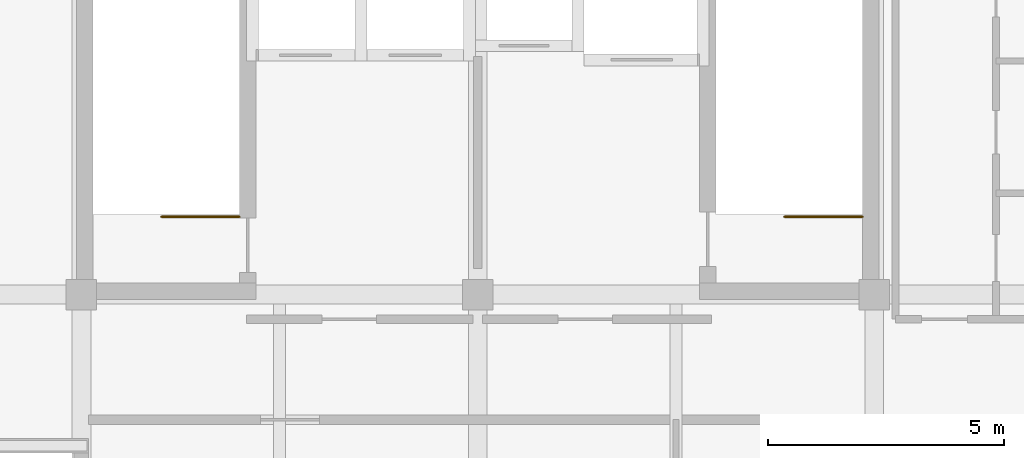
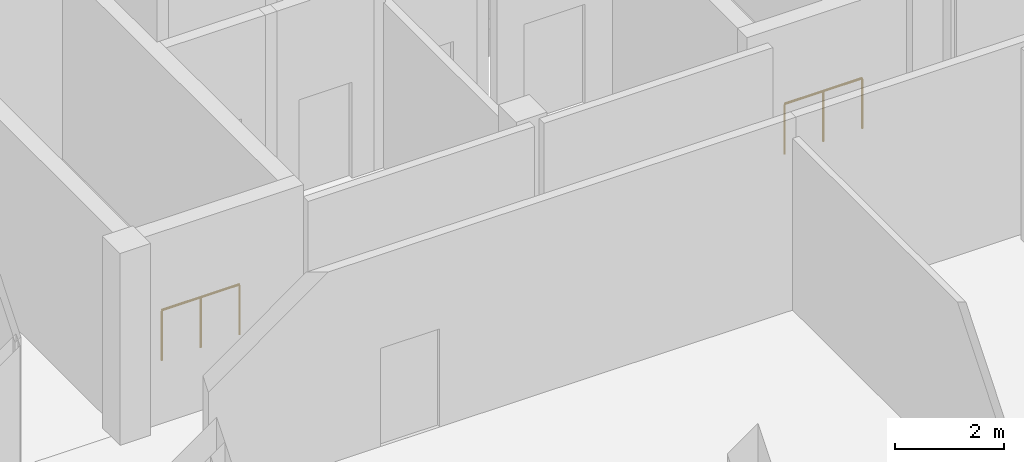
# One storey, part 8 of 8: 2 railings.
"""IFC4 building model written with IfcOpenShell, lengths in metres."""

from ifc_helpers import new_model, si_unit, direction, frame, origin, origin_2d, place, context, subcontext, project, spatial, circle, extrude, material, type_object, element, save


model = new_model("IFC4")

# Units and contexts
model_context = context("Model", 3, precision=1e-05, world=origin(), true_north=direction((0.0, 1.0)))
body_context = subcontext(model_context, "Body", "Model", "MODEL_VIEW")
ifc_project = project(units=[si_unit("LENGTHUNIT", "METRE"), si_unit("AREAUNIT", "SQUARE_METRE"), si_unit("VOLUMEUNIT", "CUBIC_METRE"), si_unit("PLANEANGLEUNIT", "RADIAN"), si_unit("MASSUNIT", "GRAM", prefix="KILO")], contexts=[model_context])

# Site, building, storey
site_placement = place(None, origin())
site = spatial("IfcSite", under=ifc_project, at=site_placement, CompositionType="ELEMENT")
building_placement = place(site_placement, origin())
building = spatial("IfcBuilding", under=site, at=building_placement, Name="Brinegate Botanical Conservatory", CompositionType="ELEMENT")
storey_placement = place(building_placement, frame((0.0, 0.0, 65.699951171875)))
storey = spatial("IfcBuildingStorey", under=building, at=storey_placement, Name="L16", CompositionType="ELEMENT", Elevation=65.699951171875)

# Railings
ifc_material = material(Name="Structural steel Q355B / S355 painted tubular guardrail", Category="steel")
railing_type = type_object("IfcRailingType", Name="Rail_ST-GRD", PredefinedType="GUARDRAIL", material=ifc_material)
railing_1_placement = place(storey_placement, frame((142.14990234375, 96.85009765625, 0.0)))
element("IfcRailing", 1, at=railing_1_placement, inside=storey, type_object=railing_type, Name="L16 ST1 top well guard 1", PredefinedType="GUARDRAIL", context=body_context, shape_type="SweptSolid", body=[
    extrude(circle(Radius=0.02392578125, at=origin_2d()), frame((0.0, 0.0, 1.1259765625), z_axis=(-1.0, 0.0, 0.0), x_axis=(0.0, -1.0, 0.0)), (0.0, 0.0, 1.0), 1.64990234375),
    extrude(circle(Radius=0.02099609375, at=origin_2d()), origin(), (0.0, 0.0, 1.0), 1.101806640625),
    extrude(circle(Radius=0.02099609375, at=origin_2d()), frame((-0.824951171875, 0.0, 0.0)), (0.0, 0.0, 1.0), 1.101806640625),
    extrude(circle(Radius=0.02099609375, at=origin_2d()), frame((-1.64990234375, 0.0, 0.0)), (0.0, 0.0, 1.0), 1.101806640625),
])
railing_2_placement = place(storey_placement, frame((155.35009765625, 96.85009765625, 0.0)))
element("IfcRailing", 2, at=railing_2_placement, inside=storey, type_object=railing_type, Name="L16 ST2 top well guard 1", PredefinedType="GUARDRAIL", context=body_context, shape_type="SweptSolid", body=[
    extrude(circle(Radius=0.02392578125, at=origin_2d()), frame((0.0, 0.0, 1.1259765625), z_axis=(-1.0, 0.0, 0.0), x_axis=(0.0, -1.0, 0.0)), (0.0, 0.0, 1.0), 1.650146484375),
    extrude(circle(Radius=0.02099609375, at=origin_2d()), origin(), (0.0, 0.0, 1.0), 1.101806640625),
    extrude(circle(Radius=0.02099609375, at=origin_2d()), frame((-0.8251953125, 0.0, 0.0)), (0.0, 0.0, 1.0), 1.101806640625),
    extrude(circle(Radius=0.02099609375, at=origin_2d()), frame((-1.650146484375, 0.0, 0.0)), (0.0, 0.0, 1.0), 1.101806640625),
])

save(model, "model.ifc")
